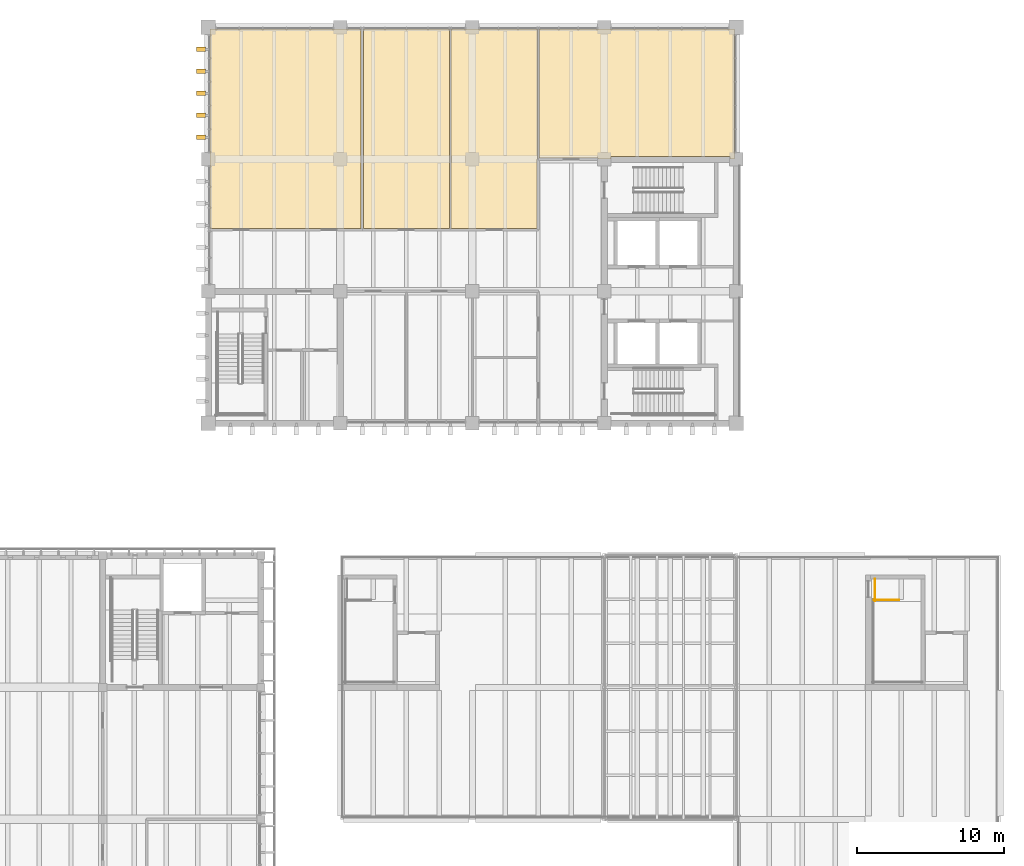
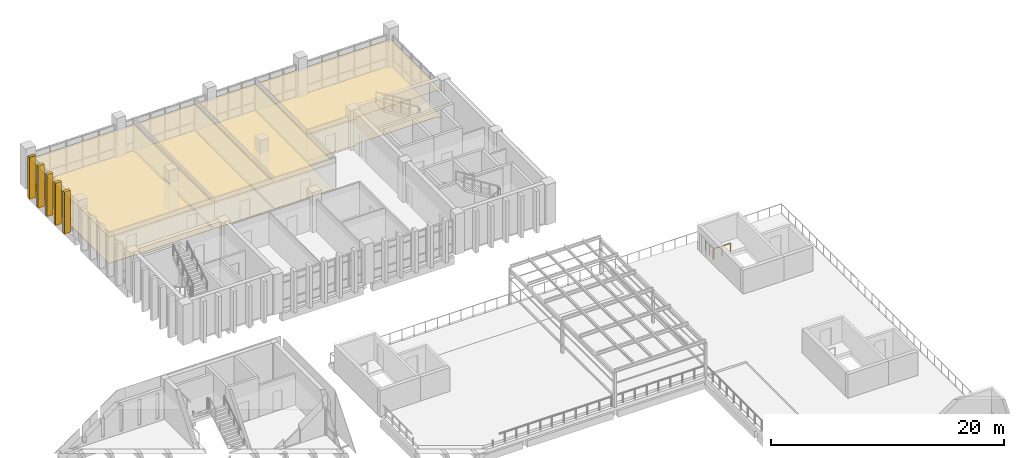
# One storey, part 74 of 74: 8 coverings, 5 shading devices, 2 railings.
"""IFC4 building model written with IfcOpenShell, lengths in metres."""

from ifc_helpers import new_model, si_unit, direction, frame, origin, origin_2d, place, context, subcontext, project, spatial, polyline, circle, outline, extrude, source, transform, mapped, material, layer, layer_set, type_object, element, save


model = new_model("IFC4")

# Units and contexts
model_context = context("Model", 3, precision=1e-05, world=origin(), true_north=direction((0.0, 1.0)))
body_context = subcontext(model_context, "Body", "Model", "MODEL_VIEW")
ifc_project = project(units=[si_unit("LENGTHUNIT", "METRE"), si_unit("AREAUNIT", "SQUARE_METRE"), si_unit("VOLUMEUNIT", "CUBIC_METRE"), si_unit("PLANEANGLEUNIT", "RADIAN"), si_unit("MASSUNIT", "GRAM", prefix="KILO")], contexts=[model_context])

# Site, building, storey
site_placement = place(None, origin())
site = spatial("IfcSite", under=ifc_project, at=site_placement, CompositionType="ELEMENT")
building_placement = place(site_placement, origin())
building = spatial("IfcBuilding", under=site, at=building_placement, Name="Merrow Basin Faculty of Sciences", CompositionType="ELEMENT")
storey_placement = place(building_placement, frame((0.0, 0.0, 13.5)))
storey = spatial("IfcBuildingStorey", under=building, at=storey_placement, Name="L03", CompositionType="ELEMENT", Elevation=13.5)

# Coverings
ifc_material_1 = material(Name="Carpet tile floor")
ifc_layer_1 = layer(ifc_material_1, 0.02001953125)
ifc_layer_set_1 = layer_set([ifc_layer_1], Name="Carpet tile floor")
covering_type_1 = type_object("IfcCoveringType", Name="Carpet tile floor", PredefinedType="FLOORING", material=ifc_layer_set_1)
covering_1_placement = place(storey_placement, origin())
element("IfcCovering", 1, at=covering_1_placement, inside=storey, type_object=covering_type_1, Name="Floor finish L03-T-015", PredefinedType="FLOORING", context=body_context, shape_type="SweptSolid", body=[
    extrude(outline(polyline([(34.43994140625, 155.284912109375), (28.5849609375, 155.284912109375), (28.5849609375, 168.889892578125), (34.43994140625, 168.889892578125), (34.43994140625, 155.284912109375)])), origin(), (0.0, 0.0, 1.0), 0.02001953125),
])
covering_2_placement = place(storey_placement, origin())
element("IfcCovering", 2, at=covering_2_placement, inside=storey, type_object=covering_type_1, Name="Floor finish L03-T-016", PredefinedType="FLOORING", context=body_context, shape_type="SweptSolid", body=[
    extrude(outline(polyline([(34.56005859375, 155.284912109375), (34.56005859375, 168.889892578125), (40.43994140625, 168.889892578125), (40.43994140625, 160.010009765625), (40.4150390625, 160.010009765625), (40.4150390625, 155.284912109375), (34.56005859375, 155.284912109375)])), origin(), (0.0, 0.0, 1.0), 0.02001953125),
])
covering_3_placement = place(storey_placement, origin())
element("IfcCovering", 3, at=covering_3_placement, inside=storey, type_object=covering_type_1, Name="Floor finish L03-T-019", PredefinedType="FLOORING", context=body_context, shape_type="SweptSolid", body=[
    extrude(outline(polyline([(53.889892578125, 168.889892578125), (53.889892578125, 160.010009765625), (53.56005859375, 160.010009765625), (53.56005859375, 160.2099609375), (45.43994140625, 160.2099609375), (45.43994140625, 160.010009765625), (44.56005859375, 160.010009765625), (44.56005859375, 160.0849609375), (40.56005859375, 160.0849609375), (40.56005859375, 168.889892578125), (53.889892578125, 168.889892578125)])), origin(), (0.0, 0.0, 1.0), 0.02001953125),
])
ifc_material_2 = material(Name="Laboratory sheet vinyl floor")
ifc_layer_2 = layer(ifc_material_2, 0.02001953125)
ifc_layer_set_2 = layer_set([ifc_layer_2], Name="Laboratory sheet vinyl floor")
covering_type_2 = type_object("IfcCoveringType", Name="Laboratory sheet vinyl floor", PredefinedType="FLOORING", material=ifc_layer_set_2)
covering_4_placement = place(storey_placement, origin())
element("IfcCovering", 4, at=covering_4_placement, inside=storey, type_object=covering_type_2, Name="Floor finish L03-T-014", PredefinedType="FLOORING", context=body_context, shape_type="SweptSolid", body=[
    extrude(outline(polyline([(18.110107421875, 168.889892578125), (28.4150390625, 168.889892578125), (28.4150390625, 155.284912109375), (18.110107421875, 155.284912109375), (18.110107421875, 168.889892578125)])), origin(), (0.0, 0.0, 1.0), 0.02001953125),
])

# Railings
ifc_material_3 = material(Name="Steel ASTM A36", Category="steel")
railing_type = type_object("IfcRailingType", Name="Steel guard 1100", PredefinedType="GUARDRAIL", material=ifc_material_3)
railing_1_placement = place(storey_placement, frame((63.39990234375, 129.949951171875, 0.0)))
element("IfcRailing", 5, at=railing_1_placement, inside=storey, type_object=railing_type, Name="L03 ST-V2-N top well guard 1", PredefinedType="GUARDRAIL", context=body_context, shape_type="SweptSolid", body=[
    extrude(circle(Radius=0.02392578125, at=origin_2d()), frame((0.0, 0.0, 1.076171875), z_axis=(1.0, 0.0, 0.0), x_axis=(0.0, 1.0, 0.0)), (0.0, 0.0, 1.0), 1.7001953125),
    extrude(circle(Radius=0.02099609375, at=origin_2d()), origin(), (0.0, 0.0, 1.0), 1.052001953125),
    extrude(circle(Radius=0.02099609375, at=origin_2d()), frame((0.85009765625, 0.0, 0.0)), (0.0, 0.0, 1.0), 1.052001953125),
    extrude(circle(Radius=0.02099609375, at=origin_2d()), frame((1.7001953125, 0.0, 0.0)), (0.0, 0.0, 1.0), 1.052001953125),
])
railing_2_placement = place(storey_placement, frame((63.449951171875, 131.39990234375, 0.0)))
element("IfcRailing", 6, at=railing_2_placement, inside=storey, type_object=railing_type, Name="L03 ST-V2-N top well guard 4", PredefinedType="GUARDRAIL", context=body_context, shape_type="SweptSolid", body=[
    extrude(circle(Radius=0.02392578125, at=origin_2d()), frame((0.0, 0.0, 1.076171875), z_axis=(0.0, -1.0, 0.0), x_axis=(1.0, 0.0, 0.0)), (0.0, 0.0, 1.0), 1.5),
    extrude(circle(Radius=0.02099609375, at=origin_2d()), origin(), (0.0, 0.0, 1.0), 1.052001953125),
    extrude(circle(Radius=0.02099609375, at=origin_2d()), frame((0.0, -0.75, 0.0)), (0.0, 0.0, 1.0), 1.052001953125),
    extrude(circle(Radius=0.02099609375, at=origin_2d()), frame((0.0, -1.5, 0.0)), (0.0, 0.0, 1.0), 1.052001953125),
])

# Coverings
ifc_material_4 = material(Name="Mineral fibre ceiling tile")
ifc_layer_3 = layer(ifc_material_4, 0.050048828125)
ifc_layer_set_3 = layer_set([ifc_layer_3], Name="Suspended acoustic ceiling tile")
covering_type_3 = type_object("IfcCoveringType", Name="Suspended acoustic ceiling tile", PredefinedType="CEILING", material=ifc_layer_set_3)
covering_5_placement = place(storey_placement, frame((0.0, 0.0, 2.75)))
element("IfcCovering", 7, at=covering_5_placement, inside=storey, type_object=covering_type_3, Name="Ceiling L03-T-014", PredefinedType="CEILING", context=body_context, shape_type="SweptSolid", body=[
    extrude(outline(polyline([(18.110107421875, 168.889892578125), (28.4150390625, 168.889892578125), (28.4150390625, 155.284912109375), (18.110107421875, 155.284912109375), (18.110107421875, 168.889892578125)])), origin(), (0.0, 0.0, 1.0), 0.050048828125),
])
covering_6_placement = place(storey_placement, frame((0.0, 0.0, 2.75)))
element("IfcCovering", 8, at=covering_6_placement, inside=storey, type_object=covering_type_3, Name="Ceiling L03-T-015", PredefinedType="CEILING", context=body_context, shape_type="SweptSolid", body=[
    extrude(outline(polyline([(34.43994140625, 155.284912109375), (28.5849609375, 155.284912109375), (28.5849609375, 168.889892578125), (34.43994140625, 168.889892578125), (34.43994140625, 155.284912109375)])), origin(), (0.0, 0.0, 1.0), 0.050048828125),
])
covering_7_placement = place(storey_placement, frame((0.0, 0.0, 2.75)))
element("IfcCovering", 9, at=covering_7_placement, inside=storey, type_object=covering_type_3, Name="Ceiling L03-T-016", PredefinedType="CEILING", context=body_context, shape_type="SweptSolid", body=[
    extrude(outline(polyline([(34.56005859375, 155.284912109375), (34.56005859375, 168.889892578125), (40.43994140625, 168.889892578125), (40.43994140625, 160.010009765625), (40.4150390625, 160.010009765625), (40.4150390625, 155.284912109375), (34.56005859375, 155.284912109375)])), origin(), (0.0, 0.0, 1.0), 0.050048828125),
])
covering_8_placement = place(storey_placement, frame((0.0, 0.0, 2.75)))
element("IfcCovering", 10, at=covering_8_placement, inside=storey, type_object=covering_type_3, Name="Ceiling L03-T-019", PredefinedType="CEILING", context=body_context, shape_type="SweptSolid", body=[
    extrude(outline(polyline([(53.889892578125, 168.889892578125), (53.889892578125, 160.010009765625), (53.56005859375, 160.010009765625), (53.56005859375, 160.2099609375), (45.43994140625, 160.2099609375), (45.43994140625, 160.010009765625), (44.56005859375, 160.010009765625), (44.56005859375, 160.0849609375), (40.56005859375, 160.0849609375), (40.56005859375, 168.889892578125), (53.889892578125, 168.889892578125)])), origin(), (0.0, 0.0, 1.0), 0.050048828125),
])

# Shading devices
ifc_material_5 = material(Name="White precast concrete C50/60", Category="concrete")
shading_device_type = type_object("IfcShadingDeviceType", Name="White precast fin 300 x 600", PredefinedType="USERDEFINED", material=ifc_material_5)
shared_shape = source(origin(), body_context, "Body", "SweptSolid", [
    extrude(outline(polyline([(0.0, 0.0), (0.300048828125, 0.0), (0.300048828125, 4.39990234375), (0.0, 4.39990234375), (0.0, 0.0)])), origin(), (0.0, 0.0, 1.0), 0.60009765625),
])
for number, where, z_axis, x_axis, name in (
    (11, (17.800048828125, 161.64990234375, -0.25), (-1.0, 0.0, 0.0), (0.0, -1.0, 0.0), "Brise-soleil fin WL03"),
    (12, (17.800048828125, 163.14990234375, -0.25), (-1.0, 0.0, 0.0), (0.0, -1.0, 0.0), "Brise-soleil fin WL03"),
    (13, (17.800048828125, 164.64990234375, -0.25), (-1.0, 0.0, 0.0), (0.0, -1.0, 0.0), "Brise-soleil fin WL03"),
    (14, (17.800048828125, 166.14990234375, -0.25), (-1.0, 0.0, 0.0), (0.0, -1.0, 0.0), "Brise-soleil fin WL03"),
    (15, (17.800048828125, 167.64990234375, -0.25), (-1.0, 0.0, 0.0), (0.0, -1.0, 0.0), "Brise-soleil fin WL03"),
):
    element("IfcShadingDevice", number, at=place(storey_placement, frame(where, z_axis=z_axis, x_axis=x_axis)), inside=storey, type_object=shading_device_type, Name=name, ObjectType="FIN", PredefinedType="USERDEFINED", context=body_context, shape_type="MappedRepresentation", body=[
        mapped(shared_shape, transform((0.0, 0.0, 0.0), scale=1.0)),
    ])

save(model, "model.ifc")
